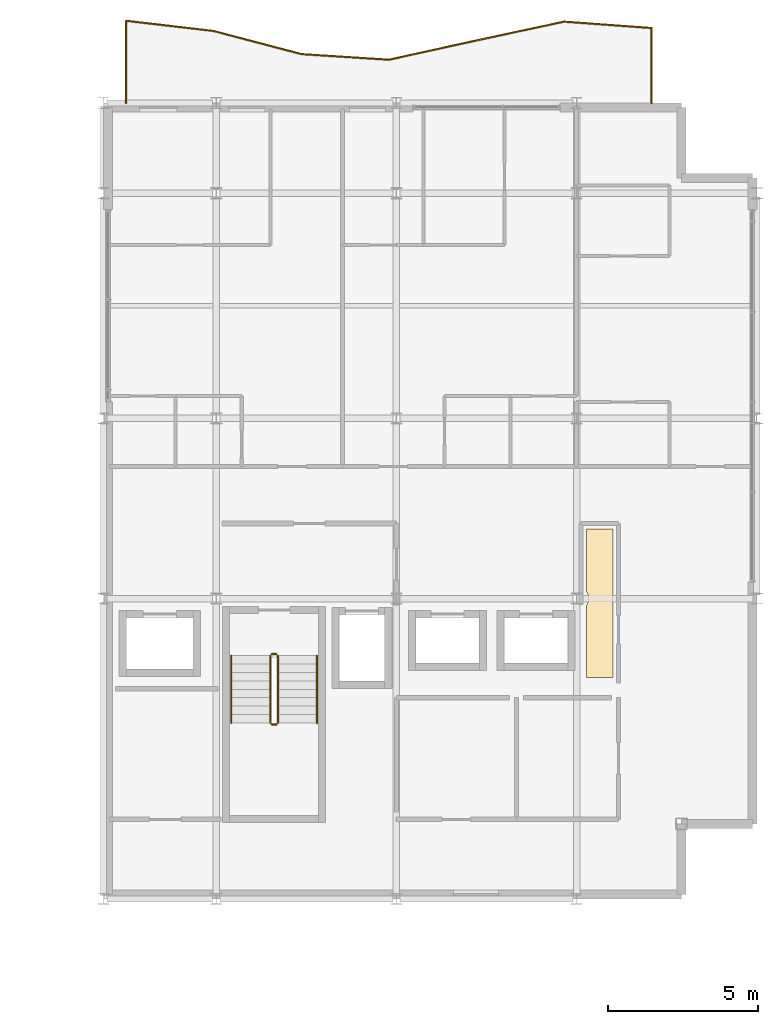
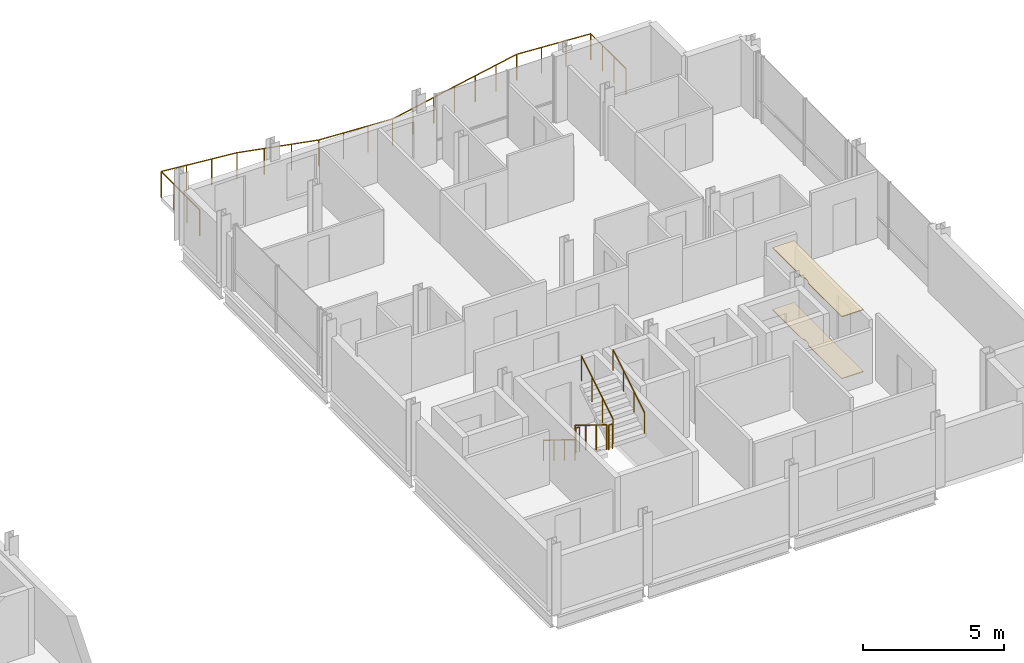
# One storey, part 29 of 29: 7 railings, 2 coverings.
"""IFC4 building model written with IfcOpenShell, lengths in metres."""

from ifc_helpers import new_model, si_unit, direction, frame, origin, origin_2d, place, context, subcontext, project, spatial, polyline, circle, outline, extrude, material, layer, layer_set, type_object, element, save


model = new_model("IFC4")

# Units and contexts
model_context = context("Model", 3, precision=1e-05, world=origin(), true_north=direction((0.0, 1.0)))
body_context = subcontext(model_context, "Body", "Model", "MODEL_VIEW")
ifc_project = project(units=[si_unit("LENGTHUNIT", "METRE"), si_unit("AREAUNIT", "SQUARE_METRE"), si_unit("VOLUMEUNIT", "CUBIC_METRE"), si_unit("PLANEANGLEUNIT", "RADIAN"), si_unit("MASSUNIT", "GRAM", prefix="KILO")], contexts=[model_context])

# Site, building, storey
site_placement = place(None, origin())
site = spatial("IfcSite", under=ifc_project, at=site_placement, CompositionType="ELEMENT")
building_placement = place(site_placement, origin())
building = spatial("IfcBuilding", under=site, at=building_placement, Name="Brevholm Reach", CompositionType="ELEMENT")
storey_placement = place(building_placement, frame((0.0, 0.0, 201.800048828125)))
storey = spatial("IfcBuildingStorey", under=building, at=storey_placement, Name="L61", CompositionType="ELEMENT", Elevation=201.800048828125)

# Coverings
ifc_material_1 = material(Name="Moisture-Resistant Skimmed Gypsum Plasterboard Ceiling", Category="gypsum")
ifc_layer_1 = layer(ifc_material_1, 0.030029296875)
ifc_layer_set_1 = layer_set([ifc_layer_1], Name="Moisture-Resistant Skimmed Gypsum Plasterboard Ceiling")
covering_type_1 = type_object("IfcCoveringType", Name="COV-CLG-GYP", PredefinedType="CEILING", material=ifc_layer_set_1)
covering_1_placement = place(storey_placement, frame((0.0, 0.0, 2.68994140625)))
element("IfcCovering", 1, at=covering_1_placement, inside=storey, type_object=covering_type_1, Name="L61 Suspended Ceiling L61-21", PredefinedType="CEILING", context=body_context, shape_type="SweptSolid", body=[
    extrude(outline(polyline([(54.330078125, 9.7626953125), (54.33056640625, 9.764892578125), (54.33251953125, 9.777587890625), (54.33251953125, 9.77783203125), (54.352783203125, 9.811279296875), (54.36962890625, 9.846923828125), (54.3828125, 9.8837890625), (54.392333984375, 9.922119140625), (54.398193359375, 9.960693359375), (54.39990234375, 10.0), (54.398193359375, 10.039306640625), (54.392333984375, 10.077880859375), (54.3828125, 10.1162109375), (54.36962890625, 10.153076171875), (54.352783203125, 10.188720703125), (54.333984375, 10.219970703125), (54.333984375, 12.320068359375), (55.216064453125, 12.320068359375), (55.216064453125, 7.3798828125), (54.330078125, 7.3798828125), (54.330078125, 9.7626953125)])), origin(), (0.0, 0.0, 1.0), 0.030029296875),
])
ifc_material_2 = material(Name="Honed Portland-Aggregate Resin Terrazzo Flooring", Category="concrete")
ifc_layer_2 = layer(ifc_material_2, 0.031982421875)
ifc_layer_set_2 = layer_set([ifc_layer_2], Name="Honed Portland-Aggregate Resin Terrazzo Flooring")
covering_type_2 = type_object("IfcCoveringType", Name="COV-FLR-TRZ", PredefinedType="FLOORING", material=ifc_layer_set_2)
covering_2_placement = place(storey_placement, origin())
element("IfcCovering", 2, at=covering_2_placement, inside=storey, type_object=covering_type_2, Name="L61 Floor Finish L61-21", PredefinedType="FLOORING", context=body_context, shape_type="SweptSolid", body=[
    extrude(outline(polyline([(54.330078125, 9.7626953125), (54.33056640625, 9.764892578125), (54.33251953125, 9.777587890625), (54.33251953125, 9.77783203125), (54.352783203125, 9.811279296875), (54.36962890625, 9.846923828125), (54.3828125, 9.8837890625), (54.392333984375, 9.922119140625), (54.398193359375, 9.960693359375), (54.39990234375, 10.0), (54.398193359375, 10.039306640625), (54.392333984375, 10.077880859375), (54.3828125, 10.1162109375), (54.36962890625, 10.153076171875), (54.352783203125, 10.188720703125), (54.333984375, 10.219970703125), (54.333984375, 12.320068359375), (55.216064453125, 12.320068359375), (55.216064453125, 7.3798828125), (54.330078125, 7.3798828125), (54.330078125, 9.7626953125)])), origin(), (0.0, 0.0, 1.0), 0.031982421875),
])

# Railings
ifc_material_3 = material(Name="Brushed Stainless Steel EN 1.4401 and Laminated Glass", Category="steel")
railing_type_1 = type_object("IfcRailingType", Name="RAL-BALC-1150", PredefinedType="BALUSTRADE", material=ifc_material_3)
railing_1_placement = place(storey_placement, frame((56.5, 26.5, 0.0)))
element("IfcRailing", 3, at=railing_1_placement, inside=storey, type_object=railing_type_1, Name="L61 Guard Balustrade RAL-L61-BAL-NE", PredefinedType="BALUSTRADE", context=body_context, shape_type="SweptSolid", body=[
    extrude(circle(Radius=0.02392578125, at=origin_2d()), frame((0.0, 0.0, 1.1259765625), z_axis=(0.0, 1.0, 0.0), x_axis=(-1.0, 0.0, 0.0)), (0.0, 0.0, 1.0), 2.499755859375),
    extrude(circle(Radius=0.02392578125, at=origin_2d()), frame((0.0, 2.499755859375, 1.1259765625), z_axis=(-0.997334760815, 0.072961461535, 0.0), x_axis=(-0.072961461535, -0.997334760815, 0.0)), (0.0, 0.0, 1.0), 2.924560546875),
    extrude(circle(Radius=0.02392578125, at=origin_2d()), frame((-2.916748046875, 2.713134765625, 1.1259765625), z_axis=(-0.977716094956, -0.209931507079, 0.0), x_axis=(0.209931507079, -0.977716094956, 0.0)), (0.0, 0.0, 1.0), 2.98291015625),
    extrude(circle(Radius=0.02392578125, at=origin_2d()), frame((-5.833251953125, 2.0869140625, 1.1259765625), z_axis=(-0.976615982801, -0.214991214093, 0.0), x_axis=(0.214991214093, -0.976615982801, 0.0)), (0.0, 0.0, 1.0), 2.986572265625),
    extrude(circle(Radius=0.02392578125, at=origin_2d()), frame((-8.75, 1.44482421875, 1.1259765625), z_axis=(-0.997945514781, 0.06406831923, 0.0), x_axis=(-0.06406831923, -0.997945514781, 0.0)), (0.0, 0.0, 1.0), 2.9228515625),
    extrude(circle(Radius=0.02392578125, at=origin_2d()), frame((-11.666748046875, 1.632080078125, 1.1259765625), z_axis=(-0.966868735292, 0.255274065889, 0.0), x_axis=(-0.255274065889, -0.966868735292, 0.0)), (0.0, 0.0, 1.0), 3.016357421875),
    extrude(circle(Radius=0.02392578125, at=origin_2d()), frame((-14.583251953125, 2.402099609375, 1.1259765625), z_axis=(-0.99329006652, 0.11564965954, 0.0), x_axis=(-0.11564965954, -0.99329006652, 0.0)), (0.0, 0.0, 1.0), 2.9365234375),
    extrude(circle(Radius=0.02392578125, at=origin_2d()), frame((-17.5, 2.74169921875, 1.1259765625), z_axis=(0.0, -1.0, 0.0), x_axis=(1.0, 0.0, 0.0)), (0.0, 0.0, 1.0), 2.74169921875),
    extrude(circle(Radius=0.02099609375, at=origin_2d()), origin(), (0.0, 0.0, 1.0), 1.101806640625),
    extrude(circle(Radius=0.02099609375, at=origin_2d()), frame((0.0, 0.833251953125, 0.0)), (0.0, 0.0, 1.0), 1.101806640625),
    extrude(circle(Radius=0.02099609375, at=origin_2d()), frame((0.0, 1.66650390625, 0.0)), (0.0, 0.0, 1.0), 1.101806640625),
    extrude(circle(Radius=0.02099609375, at=origin_2d()), frame((0.0, 2.499755859375, 0.0)), (0.0, 0.0, 1.0), 1.101806640625),
    extrude(circle(Radius=0.02099609375, at=origin_2d()), frame((-0.97216796875, 2.57080078125, 0.0)), (0.0, 0.0, 1.0), 1.101806640625),
    extrude(circle(Radius=0.02099609375, at=origin_2d()), frame((-1.944580078125, 2.64208984375, 0.0)), (0.0, 0.0, 1.0), 1.101806640625),
    extrude(circle(Radius=0.02099609375, at=origin_2d()), frame((-2.916748046875, 2.713134765625, 0.0)), (0.0, 0.0, 1.0), 1.101806640625),
    extrude(circle(Radius=0.02099609375, at=origin_2d()), frame((-3.888916015625, 2.50439453125, 0.0)), (0.0, 0.0, 1.0), 1.101806640625),
    extrude(circle(Radius=0.02099609375, at=origin_2d()), frame((-4.861083984375, 2.295654296875, 0.0)), (0.0, 0.0, 1.0), 1.101806640625),
    extrude(circle(Radius=0.02099609375, at=origin_2d()), frame((-5.833251953125, 2.0869140625, 0.0)), (0.0, 0.0, 1.0), 1.101806640625),
    extrude(circle(Radius=0.02099609375, at=origin_2d()), frame((-6.805419921875, 1.872802734375, 0.0)), (0.0, 0.0, 1.0), 1.101806640625),
    extrude(circle(Radius=0.02099609375, at=origin_2d()), frame((-7.77783203125, 1.658935546875, 0.0)), (0.0, 0.0, 1.0), 1.101806640625),
    extrude(circle(Radius=0.02099609375, at=origin_2d()), frame((-8.75, 1.44482421875, 0.0)), (0.0, 0.0, 1.0), 1.101806640625),
    extrude(circle(Radius=0.02099609375, at=origin_2d()), frame((-9.72216796875, 1.50732421875, 0.0)), (0.0, 0.0, 1.0), 1.101806640625),
    extrude(circle(Radius=0.02099609375, at=origin_2d()), frame((-10.694580078125, 1.569580078125, 0.0)), (0.0, 0.0, 1.0), 1.101806640625),
    extrude(circle(Radius=0.02099609375, at=origin_2d()), frame((-11.666748046875, 1.632080078125, 0.0)), (0.0, 0.0, 1.0), 1.101806640625),
    extrude(circle(Radius=0.02099609375, at=origin_2d()), frame((-12.638916015625, 1.888671875, 0.0)), (0.0, 0.0, 1.0), 1.101806640625),
    extrude(circle(Radius=0.02099609375, at=origin_2d()), frame((-13.611083984375, 2.1455078125, 0.0)), (0.0, 0.0, 1.0), 1.101806640625),
    extrude(circle(Radius=0.02099609375, at=origin_2d()), frame((-14.583251953125, 2.402099609375, 0.0)), (0.0, 0.0, 1.0), 1.101806640625),
    extrude(circle(Radius=0.02099609375, at=origin_2d()), frame((-15.555419921875, 2.515380859375, 0.0)), (0.0, 0.0, 1.0), 1.101806640625),
    extrude(circle(Radius=0.02099609375, at=origin_2d()), frame((-16.52783203125, 2.62841796875, 0.0)), (0.0, 0.0, 1.0), 1.101806640625),
    extrude(circle(Radius=0.02099609375, at=origin_2d()), frame((-17.5, 2.74169921875, 0.0)), (0.0, 0.0, 1.0), 1.101806640625),
    extrude(circle(Radius=0.02099609375, at=origin_2d()), frame((-17.5, 1.827880859375, 0.0)), (0.0, 0.0, 1.0), 1.101806640625),
    extrude(circle(Radius=0.02099609375, at=origin_2d()), frame((-17.5, 0.913818359375, 0.0)), (0.0, 0.0, 1.0), 1.101806640625),
    extrude(circle(Radius=0.02099609375, at=origin_2d()), frame((-17.5, 0.0, 0.0)), (0.0, 0.0, 1.0), 1.101806640625),
])
ifc_material_4 = material(Name="Brushed Stainless Steel EN 1.4401 Continuous Handrail", Category="steel")
railing_type_2 = type_object("IfcRailingType", Name="RAL-HND-950", PredefinedType="HANDRAIL", material=ifc_material_4)
railing_2_placement = place(storey_placement, frame((42.5, 8.10009765625, 0.172119140625)))
element("IfcRailing", 4, at=railing_2_placement, inside=storey, type_object=railing_type_2, Name="L61 ST-2 stair handrail 1", PredefinedType="HANDRAIL", context=body_context, shape_type="SweptSolid", body=[
    extrude(circle(Radius=0.02392578125, at=origin_2d()), frame((0.0, 0.0, 0.8857421875), z_axis=(0.0, -0.851747552033, 0.523952390591), x_axis=(1.0, 0.0, 0.0)), (0.0, 0.0, 1.0), 2.6298828125),
    extrude(circle(Radius=0.02099609375, at=origin_2d()), origin(), (0.0, 0.0, 1.0), 0.86181640625),
    extrude(circle(Radius=0.02099609375, at=origin_2d()), frame((0.0, -0.74658203125, 0.459228515625)), (0.0, 0.0, 1.0), 0.86181640625),
    extrude(circle(Radius=0.02099609375, at=origin_2d()), frame((0.0, -1.493408203125, 0.918701171875)), (0.0, 0.0, 1.0), 0.86181640625),
    extrude(circle(Radius=0.02099609375, at=origin_2d()), frame((0.0, -2.239990234375, 1.3779296875)), (0.0, 0.0, 1.0), 0.86181640625),
])
railing_3_placement = place(storey_placement, frame((45.35009765625, 5.860107421875, 1.72216796875)))
element("IfcRailing", 5, at=railing_3_placement, inside=storey, type_object=railing_type_2, Name="L61 ST-2 stair handrail 2", PredefinedType="HANDRAIL", context=body_context, shape_type="SweptSolid", body=[
    extrude(circle(Radius=0.02392578125, at=origin_2d()), frame((0.0, 0.0, 0.8857421875), z_axis=(0.0, 0.85178898068, 0.523885037382), x_axis=(-1.0, 0.0, 0.0)), (0.0, 0.0, 1.0), 2.629638671875),
    extrude(circle(Radius=0.02099609375, at=origin_2d()), origin(), (0.0, 0.0, 1.0), 0.86181640625),
    extrude(circle(Radius=0.02099609375, at=origin_2d()), frame((0.0, 0.74658203125, 0.459228515625)), (0.0, 0.0, 1.0), 0.86181640625),
    extrude(circle(Radius=0.02099609375, at=origin_2d()), frame((0.0, 1.493408203125, 0.91845703125)), (0.0, 0.0, 1.0), 0.86181640625),
    extrude(circle(Radius=0.02099609375, at=origin_2d()), frame((0.0, 2.239990234375, 1.377685546875)), (0.0, 0.0, 1.0), 0.86181640625),
])
ifc_material_5 = material(Name="Painted Tubular Galvanised Steel S275JR Stair Guard", Category="steel")
railing_type_3 = type_object("IfcRailingType", Name="RAL-STG-1120", PredefinedType="BALUSTRADE", material=ifc_material_5)
railing_4_placement = place(storey_placement, frame((43.800048828125, 8.10009765625, 0.172119140625)))
element("IfcRailing", 6, at=railing_4_placement, inside=storey, type_object=railing_type_3, Name="L61 ST-2 stair guard 1", PredefinedType="BALUSTRADE", context=body_context, shape_type="SweptSolid", body=[
    extrude(circle(Radius=0.02392578125, at=origin_2d()), frame((0.0, 0.0, 1.076171875), z_axis=(0.0, -0.851747552033, 0.523952390591), x_axis=(1.0, 0.0, 0.0)), (0.0, 0.0, 1.0), 2.6298828125),
    extrude(circle(Radius=0.02099609375, at=origin_2d()), origin(), (0.0, 0.0, 1.0), 1.052001953125),
    extrude(circle(Radius=0.02099609375, at=origin_2d()), frame((0.0, -0.74658203125, 0.459228515625)), (0.0, 0.0, 1.0), 1.052001953125),
    extrude(circle(Radius=0.02099609375, at=origin_2d()), frame((0.0, -1.493408203125, 0.918701171875)), (0.0, 0.0, 1.0), 1.052001953125),
    extrude(circle(Radius=0.02099609375, at=origin_2d()), frame((0.0, -2.239990234375, 1.3779296875)), (0.0, 0.0, 1.0), 1.052001953125),
])
railing_5_placement = place(storey_placement, frame((43.85009765625, 5.81005859375, 1.550048828125)))
element("IfcRailing", 7, at=railing_5_placement, inside=storey, type_object=railing_type_3, Name="L61 ST-2 stair guard 2", PredefinedType="BALUSTRADE", context=body_context, shape_type="SweptSolid", body=[
    extrude(circle(Radius=0.02392578125, at=origin_2d()), frame((0.0, 0.0, 1.076171875), z_axis=(1.0, 0.0, 0.0), x_axis=(0.0, 1.0, 0.0)), (0.0, 0.0, 1.0), 0.14990234375),
    extrude(circle(Radius=0.02099609375, at=origin_2d()), origin(), (0.0, 0.0, 1.0), 1.052001953125),
    extrude(circle(Radius=0.02099609375, at=origin_2d()), frame((0.14990234375, 0.0, 0.0)), (0.0, 0.0, 1.0), 1.052001953125),
])
railing_6_placement = place(storey_placement, frame((44.050048828125, 5.860107421875, 1.72216796875)))
element("IfcRailing", 8, at=railing_6_placement, inside=storey, type_object=railing_type_3, Name="L61 ST-2 stair guard 3", PredefinedType="BALUSTRADE", context=body_context, shape_type="SweptSolid", body=[
    extrude(circle(Radius=0.02392578125, at=origin_2d()), frame((0.0, 0.0, 1.076171875), z_axis=(0.0, 0.85178898068, 0.523885037382), x_axis=(-1.0, 0.0, 0.0)), (0.0, 0.0, 1.0), 2.629638671875),
    extrude(circle(Radius=0.02099609375, at=origin_2d()), origin(), (0.0, 0.0, 1.0), 1.052001953125),
    extrude(circle(Radius=0.02099609375, at=origin_2d()), frame((0.0, 0.74658203125, 0.459228515625)), (0.0, 0.0, 1.0), 1.052001953125),
    extrude(circle(Radius=0.02099609375, at=origin_2d()), frame((0.0, 1.493408203125, 0.91845703125)), (0.0, 0.0, 1.0), 1.052001953125),
    extrude(circle(Radius=0.02099609375, at=origin_2d()), frame((0.0, 2.239990234375, 1.377685546875)), (0.0, 0.0, 1.0), 1.052001953125),
])
railing_7_placement = place(storey_placement, frame((43.85009765625, 8.14990234375, 0.0)))
element("IfcRailing", 9, at=railing_7_placement, inside=storey, type_object=railing_type_3, Name="L61 ST-2 stair guard 4", PredefinedType="BALUSTRADE", context=body_context, shape_type="SweptSolid", body=[
    extrude(circle(Radius=0.02392578125, at=origin_2d()), frame((0.0, 0.0, 1.076171875), z_axis=(1.0, 0.0, 0.0), x_axis=(0.0, 1.0, 0.0)), (0.0, 0.0, 1.0), 0.14990234375),
    extrude(circle(Radius=0.02099609375, at=origin_2d()), origin(), (0.0, 0.0, 1.0), 1.052001953125),
    extrude(circle(Radius=0.02099609375, at=origin_2d()), frame((0.14990234375, 0.0, 0.0)), (0.0, 0.0, 1.0), 1.052001953125),
])

save(model, "model.ifc")
